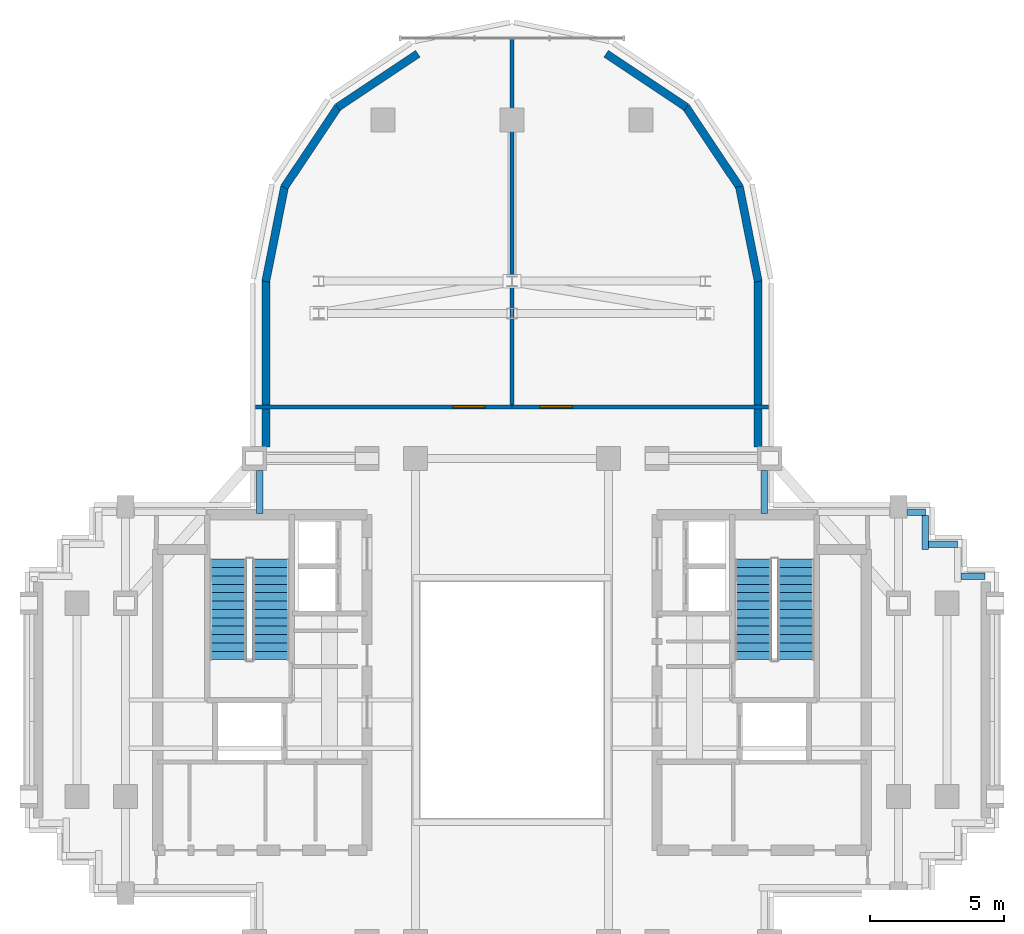
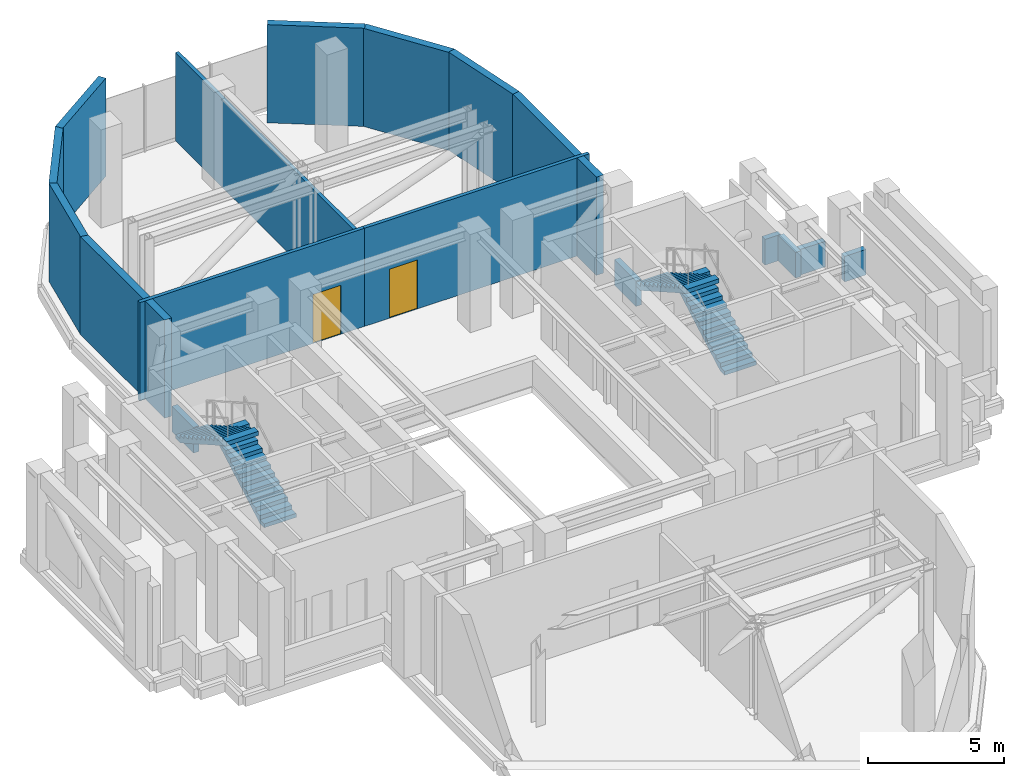
# One storey, part 8 of 11: 17 walls, 4 stair flights, 2 doors, 2 openings, 2 elements without a shape of their own.
"""IFC4 building model written with IfcOpenShell, lengths in metres."""

from ifc_helpers import new_model, si_unit, direction, frame, frame_2d, origin, place, context, subcontext, project, spatial, polyline, rectangle, outline, extrude, source, transform, mapped, material, layer, layer_set, type_object, element, fill, aggregate, save


model = new_model("IFC4")

# Units and contexts
model_context = context("Model", 3, precision=1e-05, world=origin(), true_north=direction((0.0, 1.0)))
body_context = subcontext(model_context, "Body", "Model", "MODEL_VIEW")
ifc_project = project(units=[si_unit("LENGTHUNIT", "METRE"), si_unit("AREAUNIT", "SQUARE_METRE"), si_unit("VOLUMEUNIT", "CUBIC_METRE"), si_unit("PLANEANGLEUNIT", "RADIAN"), si_unit("MASSUNIT", "GRAM", prefix="KILO")], contexts=[model_context])

# Site, building, storey
site_placement = place(None, origin())
site = spatial("IfcSite", under=ifc_project, at=site_placement, CompositionType="ELEMENT")
building_placement = place(site_placement, origin())
building = spatial("IfcBuilding", under=site, at=building_placement, Name="Keilestroom Media Tower", CompositionType="ELEMENT")
storey_placement = place(building_placement, frame((0.0, 0.0, 214.800048828125)))
storey = spatial("IfcBuildingStorey", under=building, at=storey_placement, Name="L59", CompositionType="ELEMENT", Elevation=214.800048828125)

# Walls
ifc_material_1 = material(Name="Precast concrete C40/50", Category="concrete")
ifc_layer_1 = layer(ifc_material_1, 0.300048828125)
ifc_layer_set_1 = layer_set([ifc_layer_1], Name="Precast concrete C40/50")
wall_type_1 = type_object("IfcWallType", Name="Exterior-Masonry-Spandrel-Wall-300", PredefinedType="SOLIDWALL", material=ifc_layer_set_1)
wall_1_placement = place(storey_placement, frame((9.171875, 9.41796875, 0.0), z_axis=(0.0, 0.0, 1.0), x_axis=(0.0, 1.0, 0.0)))
element("IfcWall", 1, at=wall_1_placement, inside=storey, type_object=wall_type_1, Name="L59 Plant Lobe Masonry Wall 01", PredefinedType="SOLIDWALL", context=body_context, shape_type="SweptSolid", body=[
    extrude(rectangle(XDim=6.2119140625, YDim=0.300048828125, at=frame_2d((3.10595703125, 0.0))), origin(), (0.0, 0.0, 1.0), 4.409912109375),
])
for number, where, z_axis, x_axis, name in (
    (2, (9.1748046875, 15.585205078125, 0.0), (0.0, 0.0, 1.0), (-0.195114232679, 0.980780523974, 0.0), "L59 Plant Lobe Masonry Wall 02"),
    (3, (8.48193359375, 19.097412109375, 0.0), (0.0, 0.0, 1.0), (-0.555574187116, 0.831466970246, 0.0), "L59 Plant Lobe Masonry Wall 03"),
):
    element("IfcWall", number, at=place(storey_placement, frame(where, z_axis=z_axis, x_axis=x_axis)), inside=storey, type_object=wall_type_1, Name=name, PredefinedType="SOLIDWALL", context=body_context, shape_type="SweptSolid", body=[
        extrude(rectangle(XDim=3.608642578125, YDim=0.300048828125, at=frame_2d((1.80419921875, 0.0))), origin(), (0.0, 0.0, 1.0), 4.409912109375),
    ])
for number, where, z_axis, x_axis, name in (
    (4, (6.497802734375, 22.0771484375, 0.0), (0.0, 0.0, 1.0), (-0.8314749531, 0.555562239868, 0.0), "L59 Plant Lobe Masonry Wall 04"),
    (5, (-3.510009765625, 24.073486328125, 0.0), (0.0, 0.0, 1.0), (-0.8314749531, -0.555562239868, 0.0), "L59 Plant Lobe Masonry Wall 05"),
):
    element("IfcWall", number, at=place(storey_placement, frame(where, z_axis=z_axis, x_axis=x_axis)), inside=storey, type_object=wall_type_1, Name=name, PredefinedType="SOLIDWALL", context=body_context, shape_type="SweptSolid", body=[
        extrude(rectangle(XDim=3.59326171875, YDim=0.300048828125, at=frame_2d((1.796630859375, 0.0))), origin(), (0.0, 0.0, 1.0), 4.409912109375),
    ])
for number, where, z_axis, x_axis, name in (
    (6, (-6.47705078125, 22.097900390625, 0.0), (0.0, 0.0, 1.0), (-0.555574187116, -0.831466970246, 0.0), "L59 Plant Lobe Masonry Wall 06"),
    (7, (-8.470703125, 19.12451171875, 0.0), (0.0, 0.0, 1.0), (-0.195114232679, -0.980780523974, 0.0), "L59 Plant Lobe Masonry Wall 07"),
):
    element("IfcWall", number, at=place(storey_placement, frame(where, z_axis=z_axis, x_axis=x_axis)), inside=storey, type_object=wall_type_1, Name=name, PredefinedType="SOLIDWALL", context=body_context, shape_type="SweptSolid", body=[
        extrude(rectangle(XDim=3.608642578125, YDim=0.300048828125, at=frame_2d((1.80419921875, 0.0))), origin(), (0.0, 0.0, 1.0), 4.409912109375),
    ])
wall_2_placement = place(storey_placement, frame((-9.171875, 15.6298828125, 0.0), z_axis=(0.0, 0.0, 1.0), x_axis=(0.0, -1.0, 0.0)))
element("IfcWall", 8, at=wall_2_placement, inside=storey, type_object=wall_type_1, Name="L59 Plant Lobe Masonry Wall 08", PredefinedType="SOLIDWALL", context=body_context, shape_type="SweptSolid", body=[
    extrude(rectangle(XDim=6.2119140625, YDim=0.300048828125, at=frame_2d((3.10595703125, 0.0))), origin(), (0.0, 0.0, 1.0), 4.409912109375),
])

# Wall, opening, door
ifc_material_2 = material(Name="Gypsum Plasterboard & Steel Stud", Category="steel")
ifc_layer_2 = layer(ifc_material_2, 0.14990234375)
ifc_layer_set_2 = layer_set([ifc_layer_2], Name="Gypsum Plasterboard & Steel Stud")
wall_type_2 = type_object("IfcWallType", Name="Interior-Partition-Wall-150", PredefinedType="PARTITIONING", material=ifc_layer_set_2)
wall_3_placement = place(storey_placement, frame((-9.550048828125, 10.919921875, 0.0), z_axis=(0.0, 0.0, 1.0), x_axis=(1.0, 0.0, 0.0)))
wall_3 = element("IfcWall", 9, at=wall_3_placement, inside=storey, type_object=wall_type_2, Name="L59 Interior Wall WP-L59-PL-AHUN-S", PredefinedType="PARTITIONING", context=body_context, shape_type="SweptSolid", body=[
    extrude(rectangle(XDim=9.550048828125, YDim=0.14990234375, at=frame_2d((4.77490234375, 0.0))), origin(), (0.0, 0.0, 1.0), 4.409912109375),
])
opening_1_placement = place(wall_3_placement, frame((7.35009765625, 0.0, 0.0)))
opening_1 = element("IfcOpeningElement", 10, at=opening_1_placement, cuts=wall_3, Name="Opening DI-02", PredefinedType="OPENING", context=body_context, shape_type="SweptSolid", body=[
    extrude(rectangle(XDim=1.199951171875, YDim=2.199951171875, at=frame_2d((0.60009765625, 1.10009765625))), frame((0.0, 0.0849609375, 0.0), z_axis=(0.0, -1.0, 0.0), x_axis=(1.0, 0.0, 0.0)), (0.0, 0.0, 1.0), 0.169921875),
])
ifc_material_3 = material(Name="Powder-Coated Steel Fire Leaf", Category="steel")
door_type = type_object("IfcDoorType", Name="Interior-Compartment-Fire-Door-DI-02", OperationType="NOTDEFINED", PredefinedType="DOOR", material=ifc_material_3)
shared_shape = source(origin(), body_context, "Body", "SweptSolid", [
    extrude(rectangle(XDim=1.199951171875, YDim=2.199951171875, at=frame_2d((0.60009765625, 1.10009765625))), frame((0.0, 0.02490234375, 0.0), z_axis=(0.0, -1.0, 0.0), x_axis=(1.0, 0.0, 0.0)), (0.0, 0.0, 1.0), 0.050048828125),
])
door_1_placement = place(opening_1_placement, origin())
door_1 = element("IfcDoor", 11, at=door_1_placement, inside=storey, type_object=door_type, Name="L59 Interior Door DI-L59-PL-AHUN-D", OperationType="SINGLE_SWING_RIGHT", OverallHeight=2.199951171875, OverallWidth=1.199951171875, PredefinedType="DOOR", context=body_context, shape_type="MappedRepresentation", body=[
    mapped(shared_shape, transform((0.0, 0.0, 0.0), x_axis=(1.0, 0.0, 0.0), y_axis=(0.0, 1.0, 0.0), z_axis=(0.0, 0.0, 1.0), scale=1.0)),
])
fill(opening_1, door_1)

# Wall
wall_4_placement = place(storey_placement, frame((0.0, 10.919921875, 0.0), z_axis=(0.0, 0.0, 1.0), x_axis=(0.0, 1.0, 0.0)))
element("IfcWall", 12, at=wall_4_placement, inside=storey, type_object=wall_type_2, Name="L59 Interior Wall WP-L59-PL-AHUN-M", PredefinedType="PARTITIONING", context=body_context, shape_type="SweptSolid", body=[
    extrude(rectangle(XDim=13.72998046875, YDim=0.14990234375, at=frame_2d((6.864990234375, 0.0))), origin(), (0.0, 0.0, 1.0), 3.9599609375),
])

# Wall, opening, door
wall_5_placement = place(storey_placement, frame((0.0, 10.919921875, 0.0), z_axis=(0.0, 0.0, 1.0), x_axis=(1.0, 0.0, 0.0)))
wall_5 = element("IfcWall", 13, at=wall_5_placement, inside=storey, type_object=wall_type_2, Name="L59 Interior Wall WP-L59-PL-ELECN-S", PredefinedType="PARTITIONING", context=body_context, shape_type="SweptSolid", body=[
    extrude(rectangle(XDim=9.550048828125, YDim=0.14990234375, at=frame_2d((4.77490234375, 0.0))), origin(), (0.0, 0.0, 1.0), 4.409912109375),
])
opening_2_placement = place(wall_5_placement, frame((1.050048828125, 0.0, 0.0)))
opening_2 = element("IfcOpeningElement", 14, at=opening_2_placement, cuts=wall_5, Name="Opening DI-02", PredefinedType="OPENING", context=body_context, shape_type="SweptSolid", body=[
    extrude(rectangle(XDim=1.199951171875, YDim=2.199951171875, at=frame_2d((0.60009765625, 1.10009765625))), frame((0.0, 0.0849609375, 0.0), z_axis=(0.0, -1.0, 0.0), x_axis=(1.0, 0.0, 0.0)), (0.0, 0.0, 1.0), 0.169921875),
])
door_2_placement = place(opening_2_placement, origin())
door_2 = element("IfcDoor", 15, at=door_2_placement, inside=storey, type_object=door_type, Name="L59 Interior Door DI-L59-PL-ELECN-D", OperationType="SINGLE_SWING_LEFT", OverallHeight=2.199951171875, OverallWidth=1.199951171875, PredefinedType="DOOR", context=body_context, shape_type="MappedRepresentation", body=[
    mapped(shared_shape, transform((0.0, 0.0, 0.0), x_axis=(1.0, 0.0, 0.0), y_axis=(0.0, 1.0, 0.0), z_axis=(0.0, 0.0, 1.0), scale=1.0)),
])
fill(opening_2, door_2)

# Walls
ifc_layer_3 = layer(ifc_material_1, 0.239990234375)
ifc_layer_set_3 = layer_set([ifc_layer_3], Name="Precast concrete C40/50")
wall_type_3 = type_object("IfcWallType", Name="Roof-And-Terrace-Parapet-Wall-240", PredefinedType="PARAPET", material=ifc_layer_set_3)
for number, where, z_axis, x_axis, name in (
    (16, (-9.39990234375, 6.952880859375, 0.0), (0.0, 0.0, 1.0), (0.0, 1.0, 0.0), "L59 Perimeter Edge Parapet Wall 22"),
    (17, (9.39990234375, 8.547119140625, 0.0), (0.0, 0.0, 1.0), (0.0, -1.0, 0.0), "L59 Perimeter Edge Parapet Wall 23"),
):
    element("IfcWall", number, at=place(storey_placement, frame(where, z_axis=z_axis, x_axis=x_axis)), inside=storey, type_object=wall_type_3, Name=name, PredefinedType="PARAPET", context=body_context, shape_type="SweptSolid", body=[
        extrude(rectangle(XDim=1.59423828125, YDim=0.239990234375, at=frame_2d((0.797119140625, 0.0))), origin(), (0.0, 0.0, 1.0), 1.14990234375),
    ])
wall_6_placement = place(storey_placement, frame((14.72802734375, 7.0, 0.0), z_axis=(0.0, 0.0, 1.0), x_axis=(1.0, 0.0, 0.0)))
element("IfcWall", 18, at=wall_6_placement, inside=storey, type_object=wall_type_3, Name="L59 Perimeter Edge Parapet Wall 25", PredefinedType="PARAPET", context=body_context, shape_type="SweptSolid", body=[
    extrude(rectangle(XDim=0.671875, YDim=0.239990234375, at=frame_2d((0.3359375, 0.0))), origin(), (0.0, 0.0, 1.0), 1.14990234375),
])
wall_7_placement = place(storey_placement, frame((15.39990234375, 6.876953125, 0.0), z_axis=(0.0, 0.0, 1.0), x_axis=(0.0, -1.0, 0.0)))
element("IfcWall", 19, at=wall_7_placement, inside=storey, type_object=wall_type_3, Name="L59 Perimeter Edge Parapet Wall 26", PredefinedType="PARAPET", context=body_context, shape_type="SweptSolid", body=[
    extrude(rectangle(XDim=1.27685546875, YDim=0.239990234375, at=frame_2d((0.638427734375, 0.0))), origin(), (0.0, 0.0, 1.0), 1.14990234375),
])
wall_8_placement = place(storey_placement, frame((15.52294921875, 5.800048828125, 0.0), z_axis=(0.0, 0.0, 1.0), x_axis=(1.0, 0.0, 0.0)))
element("IfcWall", 20, at=wall_8_placement, inside=storey, type_object=wall_type_3, Name="L59 Perimeter Edge Parapet Wall 27", PredefinedType="PARAPET", context=body_context, shape_type="SweptSolid", body=[
    extrude(rectangle(XDim=1.0771484375, YDim=0.239990234375, at=frame_2d((0.53857421875, 0.0))), origin(), (0.0, 0.0, 1.0), 1.14990234375),
])
wall_9_placement = place(storey_placement, frame((16.722900390625, 4.60009765625, 0.0), z_axis=(0.0, 0.0, 1.0), x_axis=(1.0, 0.0, 0.0)))
element("IfcWall", 21, at=wall_9_placement, inside=storey, type_object=wall_type_3, Name="L59 Perimeter Edge Parapet Wall 29", PredefinedType="PARAPET", context=body_context, shape_type="SweptSolid", body=[
    extrude(rectangle(XDim=0.906005859375, YDim=0.239990234375, at=frame_2d((0.453125, 0.0))), origin(), (0.0, 0.0, 1.0), 1.14990234375),
])

# Stair, stair flights
ifc_material_4 = material(Name="Concrete C45/55", Category="concrete")
stair_type = type_object("IfcStairType", Name="Enclosed-Dog-Leg-Stair-ST-CORE", PredefinedType="HALF_TURN_STAIR", material=ifc_material_4)
stair_1_placement = place(storey_placement, origin())
stair_1 = element("IfcStair", 22, at=stair_1_placement, inside=storey, type_object=stair_type, Name="L59 West Core Escape Stair ST-1", PredefinedType="HALF_TURN_STAIR")
stair_flight_type = type_object("IfcStairFlightType", Name="Precast-Concrete-Stair-Flight-Core-160", PredefinedType="STRAIGHT", material=ifc_material_1)
stair_flight_1_placement = place(storey_placement, frame((-8.97998046875, 1.5, 0.0), z_axis=(0.0, 0.0, 1.0), x_axis=(0.0, 1.0, 0.0)))
stair_flight_1 = element("IfcStairFlight", 23, at=stair_flight_1_placement, type_object=stair_flight_type, Name="ST-1 flight 1", NumberOfRisers=13, NumberOfTreads=12, PredefinedType="STRAIGHT", RiserHeight=0.176923077, TreadLength=0.312, context=body_context, shape_type="SweptSolid", body=[
    extrude(outline(polyline([(0.0, 0.0), (0.0, 0.177001953125), (0.31201171875, 0.177001953125), (0.31201171875, 0.353759765625), (0.6240234375, 0.353759765625), (0.6240234375, 0.53076171875), (0.93603515625, 0.53076171875), (0.93603515625, 0.707763671875), (1.248046875, 0.707763671875), (1.248046875, 0.884521484375), (1.56005859375, 0.884521484375), (1.56005859375, 1.0615234375), (1.8720703125, 1.0615234375), (1.8720703125, 1.238525390625), (2.18408203125, 1.238525390625), (2.18408203125, 1.415283203125), (2.49609375, 1.415283203125), (2.49609375, 1.59228515625), (2.80810546875, 1.59228515625), (2.80810546875, 1.769287109375), (3.1201171875, 1.769287109375), (3.1201171875, 1.946044921875), (3.431884765625, 1.946044921875), (3.431884765625, 2.123046875), (3.743896484375, 2.123046875), (3.743896484375, 2.300048828125), (3.743896484375, 1.939208984375), (0.32421875, 0.0), (0.0, 0.0)])), frame((0.0, 0.68017578125, 0.0), z_axis=(0.0, -1.0, 0.0), x_axis=(1.0, 0.0, 0.0)), (0.0, 0.0, 1.0), 1.360107421875),
])
stair_flight_2_placement = place(storey_placement, frame((-10.580078125, 5.243896484375, 2.300048828125), z_axis=(0.0, 0.0, 1.0), x_axis=(0.0, -1.0, 0.0)))
stair_flight_2 = element("IfcStairFlight", 24, at=stair_flight_2_placement, type_object=stair_flight_type, Name="ST-1 flight 2", NumberOfRisers=13, NumberOfTreads=12, PredefinedType="STRAIGHT", RiserHeight=0.176923077, TreadLength=0.312, context=body_context, shape_type="SweptSolid", body=[
    extrude(outline(polyline([(0.0, 0.0), (0.0, 0.177001953125), (0.31201171875, 0.177001953125), (0.31201171875, 0.353759765625), (0.6240234375, 0.353759765625), (0.6240234375, 0.53076171875), (0.93603515625, 0.53076171875), (0.93603515625, 0.707763671875), (1.248046875, 0.707763671875), (1.248046875, 0.884521484375), (1.56005859375, 0.884521484375), (1.56005859375, 1.0615234375), (1.8720703125, 1.0615234375), (1.8720703125, 1.238525390625), (2.18408203125, 1.238525390625), (2.18408203125, 1.415283203125), (2.49609375, 1.415283203125), (2.49609375, 1.59228515625), (2.80810546875, 1.59228515625), (2.80810546875, 1.769287109375), (3.1201171875, 1.769287109375), (3.1201171875, 1.946044921875), (3.431884765625, 1.946044921875), (3.431884765625, 2.123046875), (3.743896484375, 2.123046875), (3.743896484375, 2.300048828125), (3.743896484375, 1.939208984375), (0.32421875, 0.0), (0.0, 0.0)])), frame((0.0, 0.68017578125, 0.0), z_axis=(0.0, -1.0, 0.0), x_axis=(1.0, 0.0, 0.0)), (0.0, 0.0, 1.0), 1.360107421875),
])
aggregate(stair_1, [stair_flight_1, stair_flight_2])

stair_2_placement = place(storey_placement, origin())
stair_2 = element("IfcStair", 25, at=stair_2_placement, inside=storey, type_object=stair_type, Name="L59 East Core Escape Stair ST-2", PredefinedType="HALF_TURN_STAIR")
stair_flight_3_placement = place(storey_placement, frame((10.580078125, 1.5, 0.0), z_axis=(0.0, 0.0, 1.0), x_axis=(0.0, 1.0, 0.0)))
stair_flight_3 = element("IfcStairFlight", 26, at=stair_flight_3_placement, type_object=stair_flight_type, Name="ST-2 flight 1", NumberOfRisers=13, NumberOfTreads=12, PredefinedType="STRAIGHT", RiserHeight=0.176923077, TreadLength=0.312, context=body_context, shape_type="SweptSolid", body=[
    extrude(outline(polyline([(0.0, 0.0), (0.0, 0.177001953125), (0.31201171875, 0.177001953125), (0.31201171875, 0.353759765625), (0.6240234375, 0.353759765625), (0.6240234375, 0.53076171875), (0.93603515625, 0.53076171875), (0.93603515625, 0.707763671875), (1.248046875, 0.707763671875), (1.248046875, 0.884521484375), (1.56005859375, 0.884521484375), (1.56005859375, 1.0615234375), (1.8720703125, 1.0615234375), (1.8720703125, 1.238525390625), (2.18408203125, 1.238525390625), (2.18408203125, 1.415283203125), (2.49609375, 1.415283203125), (2.49609375, 1.59228515625), (2.80810546875, 1.59228515625), (2.80810546875, 1.769287109375), (3.1201171875, 1.769287109375), (3.1201171875, 1.946044921875), (3.431884765625, 1.946044921875), (3.431884765625, 2.123046875), (3.743896484375, 2.123046875), (3.743896484375, 2.300048828125), (3.743896484375, 1.939208984375), (0.32421875, 0.0), (0.0, 0.0)])), frame((0.0, 0.68017578125, 0.0), z_axis=(0.0, -1.0, 0.0), x_axis=(1.0, 0.0, 0.0)), (0.0, 0.0, 1.0), 1.360107421875),
])
stair_flight_4_placement = place(storey_placement, frame((8.97998046875, 5.243896484375, 2.300048828125), z_axis=(0.0, 0.0, 1.0), x_axis=(0.0, -1.0, 0.0)))
stair_flight_4 = element("IfcStairFlight", 27, at=stair_flight_4_placement, type_object=stair_flight_type, Name="ST-2 flight 2", NumberOfRisers=13, NumberOfTreads=12, PredefinedType="STRAIGHT", RiserHeight=0.176923077, TreadLength=0.312, context=body_context, shape_type="SweptSolid", body=[
    extrude(outline(polyline([(0.0, 0.0), (0.0, 0.177001953125), (0.31201171875, 0.177001953125), (0.31201171875, 0.353759765625), (0.6240234375, 0.353759765625), (0.6240234375, 0.53076171875), (0.93603515625, 0.53076171875), (0.93603515625, 0.707763671875), (1.248046875, 0.707763671875), (1.248046875, 0.884521484375), (1.56005859375, 0.884521484375), (1.56005859375, 1.0615234375), (1.8720703125, 1.0615234375), (1.8720703125, 1.238525390625), (2.18408203125, 1.238525390625), (2.18408203125, 1.415283203125), (2.49609375, 1.415283203125), (2.49609375, 1.59228515625), (2.80810546875, 1.59228515625), (2.80810546875, 1.769287109375), (3.1201171875, 1.769287109375), (3.1201171875, 1.946044921875), (3.431884765625, 1.946044921875), (3.431884765625, 2.123046875), (3.743896484375, 2.123046875), (3.743896484375, 2.300048828125), (3.743896484375, 1.939208984375), (0.32421875, 0.0), (0.0, 0.0)])), frame((0.0, 0.68017578125, 0.0), z_axis=(0.0, -1.0, 0.0), x_axis=(1.0, 0.0, 0.0)), (0.0, 0.0, 1.0), 1.360107421875),
])
aggregate(stair_2, [stair_flight_3, stair_flight_4])

save(model, "model.ifc")
